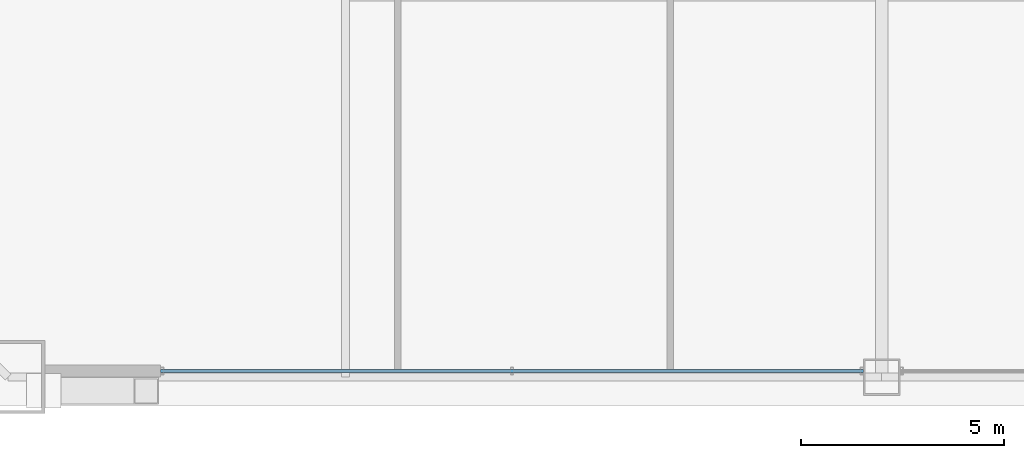
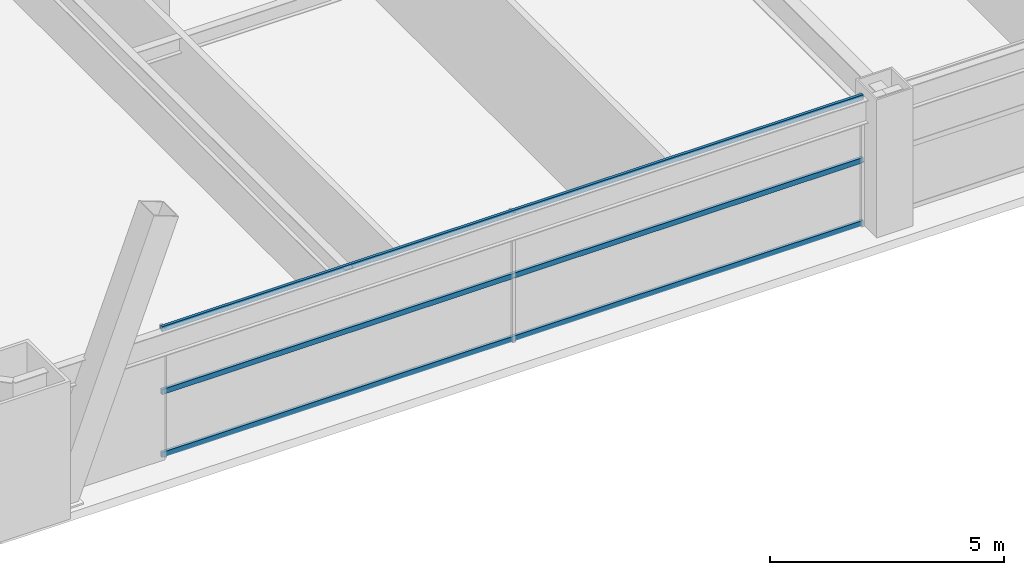
# One storey, part 6 of 43: 3 members, 1 element without a shape of its own.
"""IFC4 building model written with IfcOpenShell, lengths in metres."""

from ifc_helpers import new_model, si_unit, direction, frame, origin, origin_2d, place, context, subcontext, project, spatial, hollow_rectangle, extrude, source, transform, mapped, material, layer, layer_set, material_profile, profile_set, type_object, element, aggregate, save


model = new_model("IFC4")

# Units and contexts
model_context = context("Model", 3, precision=1e-05, world=origin(), true_north=direction((0.0, 1.0)))
body_context = subcontext(model_context, "Body", "Model", "MODEL_VIEW")
ifc_project = project(units=[si_unit("LENGTHUNIT", "METRE"), si_unit("AREAUNIT", "SQUARE_METRE"), si_unit("VOLUMEUNIT", "CUBIC_METRE"), si_unit("PLANEANGLEUNIT", "RADIAN"), si_unit("MASSUNIT", "GRAM", prefix="KILO"), si_unit("THERMODYNAMICTEMPERATUREUNIT", "KELVIN"), si_unit("POWERUNIT", "WATT")], contexts=[model_context])

# Site, building, storey
site_placement = place(None, origin())
site = spatial("IfcSite", under=ifc_project, at=site_placement, CompositionType="ELEMENT")
building_placement = place(site_placement, origin())
building = spatial("IfcBuilding", under=site, at=building_placement, Name="Yuzanri Waterfront Tower", CompositionType="ELEMENT")
storey_placement = place(building_placement, frame((0.0, 0.0, 53.199951171875)))
storey = spatial("IfcBuildingStorey", under=building, at=storey_placement, Name="L13", CompositionType="ELEMENT", Elevation=53.199951171875)

# Curtain wall, members
ifc_material_1 = material(Name="Anodized Architectural Bronze", Category="metal")
ifc_layer = layer(ifc_material_1, 0.159912109375)
ifc_layer_set = layer_set([ifc_layer], Name="Anodized Architectural Bronze")
curtain_wall_type = type_object("IfcCurtainWallType", Name="Anodized Bronze Hotel Lower-Tier Recessed Unitized Curtain Wall 8100", PredefinedType="NOTDEFINED", material=ifc_layer_set)
curtain_wall_placement = place(storey_placement, origin())
curtain_wall = element("IfcCurtainWall", 1, at=curtain_wall_placement, inside=storey, type_object=curtain_wall_type, Name="L13 Curtain Wall CW-L13-SL", PredefinedType="NOTDEFINED")
ifc_material_2 = material(Name="Anodized Architectural Bronze", Category="metal")
ifc_material_profile = material_profile(ifc_material_2, hollow_rectangle(XDim=0.070068359375, YDim=0.135009765625, WallThickness=0.00341796875, at=origin_2d()), Name="CWT 70x135")
ifc_profile_set = profile_set([ifc_material_profile], Name="Anodized Architectural Bronze")
member_type = type_object("IfcMemberType", Name="Anodized Bronze Standard Curtain-Wall Transom 70x135", PredefinedType="USERDEFINED", material=ifc_profile_set)
shared_shape = source(origin(), body_context, "Body", "SweptSolid", [
    extrude(hollow_rectangle(XDim=0.070068359375, YDim=0.135009765625, WallThickness=0.00341796875, at=origin_2d()), origin(), (0.0, 0.0, 1.0), 17.300048828125),
])
member_1_placement = place(storey_placement, frame((19.25, 0.85009765625, 0.050048828125), z_axis=(1.0, 0.0, 0.0), x_axis=(0.0, 1.0, 0.0)))
member_1 = element("IfcMember", 2, at=member_1_placement, type_object=member_type, Name="CW-L13-SL Transom 1", ObjectType="TRANSOM", PredefinedType="USERDEFINED", context=body_context, shape_type="MappedRepresentation", body=[
    mapped(shared_shape, transform((0.0, 0.0, 0.0), scale=1.0)),
])
member_2_placement = place(storey_placement, frame((19.25, 0.85009765625, 1.68994140625), z_axis=(1.0, 0.0, 0.0), x_axis=(0.0, 1.0, 0.0)))
member_2 = element("IfcMember", 3, at=member_2_placement, type_object=member_type, Name="CW-L13-SL Transom 2", ObjectType="TRANSOM", PredefinedType="USERDEFINED", context=body_context, shape_type="MappedRepresentation", body=[
    mapped(shared_shape, transform((0.0, 0.0, 0.0), scale=1.0)),
])
member_3_placement = place(storey_placement, frame((19.25, 0.85009765625, 3.330078125), z_axis=(1.0, 0.0, 0.0), x_axis=(0.0, 1.0, 0.0)))
member_3 = element("IfcMember", 4, at=member_3_placement, type_object=member_type, Name="CW-L13-SL Transom 3", ObjectType="TRANSOM", PredefinedType="USERDEFINED", context=body_context, shape_type="MappedRepresentation", body=[
    mapped(shared_shape, transform((0.0, 0.0, 0.0), scale=1.0)),
])
aggregate(curtain_wall, [member_1, member_2, member_3])

save(model, "model.ifc")
